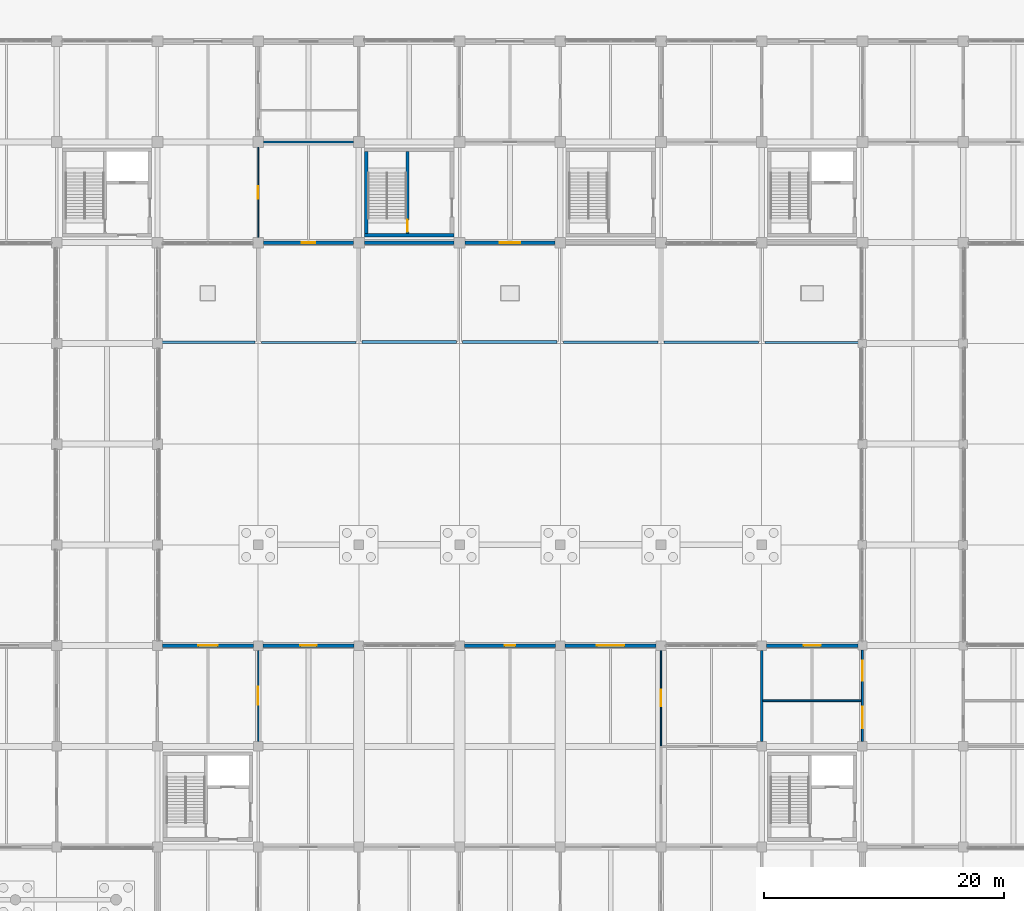
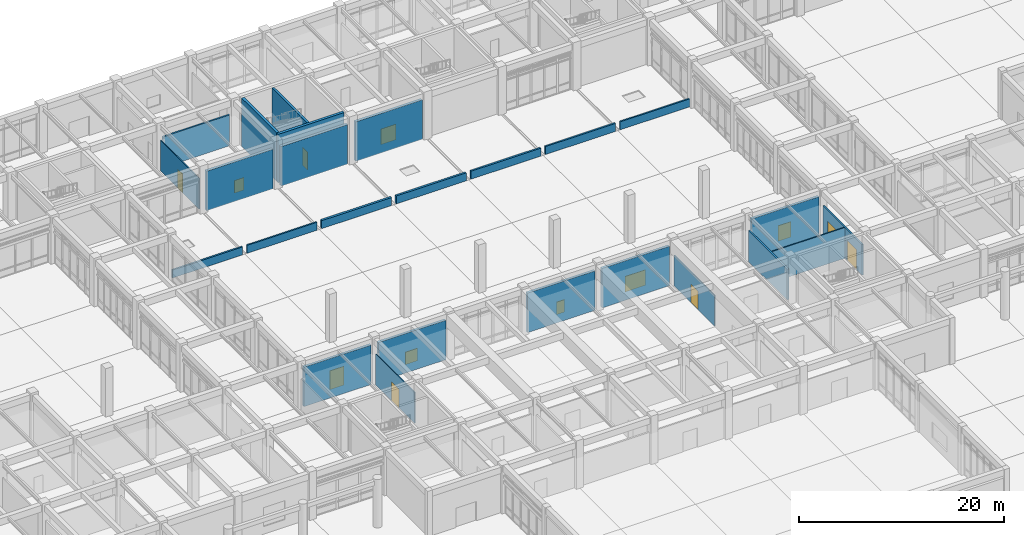
# One storey, part 74 of 91: 25 walls, 7 windows, 6 doors, 13 openings.
"""IFC4 building model written with IfcOpenShell, lengths in metres."""

from ifc_helpers import new_model, si_unit, direction, frame, frame_2d, origin, place, context, subcontext, project, spatial, rectangle, extrude, material, layer, layer_set, type_object, element, fill, save


model = new_model("IFC4")

# Units and contexts
model_context = context("Model", 3, precision=1e-05, world=origin(), true_north=direction((0.0, 1.0)))
body_context = subcontext(model_context, "Body", "Model", "MODEL_VIEW")
ifc_project = project(units=[si_unit("LENGTHUNIT", "METRE"), si_unit("AREAUNIT", "SQUARE_METRE"), si_unit("VOLUMEUNIT", "CUBIC_METRE"), si_unit("PLANEANGLEUNIT", "RADIAN"), si_unit("MASSUNIT", "GRAM", prefix="KILO")], contexts=[model_context])

# Site, building, storey
site_placement = place(None, origin())
site = spatial("IfcSite", under=ifc_project, at=site_placement, CompositionType="ELEMENT")
building_placement = place(site_placement, origin())
building = spatial("IfcBuilding", under=site, at=building_placement, Name="Porcellanite Civic Hall", CompositionType="ELEMENT")
storey_placement = place(building_placement, origin())
storey = spatial("IfcBuildingStorey", under=building, at=storey_placement, Name="L00", CompositionType="ELEMENT", Elevation=0.0)

# Wall, opening, door
ifc_material_1 = material(Name="Concrete N40 (40 MPa)", Category="concrete")
ifc_layer_1 = layer(ifc_material_1, 0.239990234375)
ifc_layer_set_1 = layer_set([ifc_layer_1], Name="Concrete N40 (40 MPa)")
wall_type_1 = type_object("IfcWallType", Name="CW-SH240", PredefinedType="SHEAR", material=ifc_layer_set_1)
wall_1_placement = place(storey_placement, frame((79.639892578125, 101.580078125, 0.0), z_axis=(0.0, 0.0, 1.0), x_axis=(0.0, 1.0, 0.0)))
wall_1 = element("IfcWall", 1, at=wall_1_placement, inside=storey, type_object=wall_type_1, Name="Core divider S9 L00", PredefinedType="SHEAR", context=body_context, shape_type="SweptSolid", body=[
    extrude(rectangle(XDim=6.83984375, YDim=0.239990234375, at=frame_2d((3.419921875, 0.0))), origin(), (0.0, 0.0, 1.0), 5.760009765625),
])
opening_1_placement = place(wall_1_placement, frame((0.1201171875, 0.0, 0.0)))
opening_1 = element("IfcOpeningElement", 2, at=opening_1_placement, cuts=wall_1, Name="Opening FD-S9-L00-ST", PredefinedType="OPENING", context=body_context, shape_type="SweptSolid", body=[
    extrude(rectangle(XDim=1.0, YDim=2.14990234375, at=frame_2d((0.5, 1.074951171875))), frame((0.0, 0.1201171875, 0.0), z_axis=(0.0, -1.0, 0.0), x_axis=(1.0, 0.0, 0.0)), (0.0, 0.0, 1.0), 0.239990234375),
])
ifc_material_2 = material(Name="Fire-rated solid-core hardwood timber", Category="wood")
door_type_1 = type_object("IfcDoorType", Name="DR-FD100", OperationType="NOTDEFINED", PredefinedType="DOOR", material=ifc_material_2)
door_1_placement = place(opening_1_placement, origin())
door_1 = element("IfcDoor", 3, at=door_1_placement, inside=storey, type_object=door_type_1, Name="Fire stair door FD-S9-L00-ST", OperationType="SINGLE_SWING_RIGHT", OverallHeight=2.14990234375, OverallWidth=1.0, PredefinedType="DOOR", context=body_context, shape_type="SweptSolid", body=[
    extrude(rectangle(XDim=1.0, YDim=2.14990234375, at=frame_2d((0.5, 1.074951171875))), frame((0.0, 0.02490234375, 0.0), z_axis=(0.0, -1.0, 0.0), x_axis=(1.0, 0.0, 0.0)), (0.0, 0.0, 1.0), 0.050048828125),
])
fill(opening_1, door_1)

# Walls
ifc_material_3 = material(Name="Concrete N40 (40 MPa)", Category="concrete")
ifc_layer_2 = layer(ifc_material_3, 0.300048828125)
ifc_layer_set_2 = layer_set([ifc_layer_2], Name="Concrete N40 (40 MPa)")
wall_type_2 = type_object("IfcWallType", Name="CW-SH300", PredefinedType="SHEAR", material=ifc_layer_set_2)
wall_2_placement = place(storey_placement, frame((83.52001953125, 101.429931640625, 0.0), z_axis=(0.0, 0.0, 1.0), x_axis=(-1.0, 0.0, 0.0)))
element("IfcWall", 4, at=wall_2_placement, inside=storey, type_object=wall_type_2, Name="Core wall S9 L00 S", PredefinedType="SHEAR", context=body_context, shape_type="SweptSolid", body=[
    extrude(rectangle(XDim=7.43994140625, YDim=0.300048828125, at=frame_2d((3.719970703125, 0.0))), origin(), (0.0, 0.0, 1.0), 5.760009765625),
])
wall_3_placement = place(storey_placement, frame((76.22998046875, 101.580078125, 0.0), z_axis=(0.0, 0.0, 1.0), x_axis=(0.0, 1.0, 0.0)))
element("IfcWall", 5, at=wall_3_placement, inside=storey, type_object=wall_type_2, Name="Core wall S9 L00 W", PredefinedType="SHEAR", context=body_context, shape_type="SweptSolid", body=[
    extrude(rectangle(XDim=6.83984375, YDim=0.300048828125, at=frame_2d((3.419921875, 0.0))), origin(), (0.0, 0.0, 1.0), 5.760009765625),
])

# Wall, opening, window
ifc_material_4 = material(Name="Precast concrete N40 (40 MPa)", Category="concrete")
ifc_layer_3 = layer(ifc_material_4, 0.300048828125)
ifc_layer_set_3 = layer_set([ifc_layer_3], Name="Precast concrete N40 (40 MPa)")
wall_type_3 = type_object("IfcWallType", Name="EW-ADM300", PredefinedType="SOLIDWALL", material=ifc_layer_set_3)
wall_4_placement = place(storey_placement, frame((75.14892578125, 100.800048828125, 0.0), z_axis=(0.0, 0.0, 1.0), x_axis=(-1.0, 0.0, 0.0)))
wall_4 = element("IfcWall", 6, at=wall_4_placement, inside=storey, type_object=wall_type_3, Name="Exterior wall L00 S 9-13", PredefinedType="SOLIDWALL", context=body_context, shape_type="SweptSolid", body=[
    extrude(rectangle(XDim=7.498046875, YDim=0.300048828125, at=frame_2d((3.7490234375, 0.0))), origin(), (0.0, 0.0, 1.0), 4.699951171875),
])
opening_2_placement = place(wall_4_placement, frame((3.198974609375, 0.0, 0.89990234375)))
opening_2 = element("IfcOpeningElement", 7, at=opening_2_placement, cuts=wall_4, Name="Opening W24", PredefinedType="OPENING", context=body_context, shape_type="SweptSolid", body=[
    extrude(rectangle(XDim=1.10009765625, YDim=1.5, at=frame_2d((0.550048828125, 0.75))), frame((0.0, 0.14990234375, 0.0), z_axis=(0.0, -1.0, 0.0), x_axis=(1.0, 0.0, 0.0)), (0.0, 0.0, 1.0), 0.300048828125),
])
ifc_material_5 = material(Name="Cyclone laminated low-E glazing in anodised aluminium frame", Category="aluminium")
window_type_1 = type_object("IfcWindowType", Name="WN-24", PartitioningType="SINGLE_PANEL", PredefinedType="WINDOW", material=ifc_material_5)
window_1_placement = place(opening_2_placement, origin())
window_1 = element("IfcWindow", 8, at=window_1_placement, inside=storey, type_object=window_type_1, Name="Window W24 L00 S 9-13", OverallHeight=1.5, OverallWidth=1.10009765625, PartitioningType="SINGLE_PANEL", PredefinedType="WINDOW", context=body_context, shape_type="SweptSolid", body=[
    extrude(rectangle(XDim=1.10009765625, YDim=1.5, at=frame_2d((0.550048828125, 0.75))), frame((0.0, 0.030029296875, 0.0), z_axis=(0.0, -1.0, 0.0), x_axis=(1.0, 0.0, 0.0)), (0.0, 0.0, 1.0), 0.06005859375),
])
fill(opening_2, window_1)

# Wall
wall_5_placement = place(storey_placement, frame((83.549072265625, 100.800048828125, 0.0), z_axis=(0.0, 0.0, 1.0), x_axis=(-1.0, 0.0, 0.0)))
element("IfcWall", 9, at=wall_5_placement, inside=storey, type_object=wall_type_3, Name="Exterior wall L00 S 10-13", PredefinedType="SOLIDWALL", context=body_context, shape_type="SweptSolid", body=[
    extrude(rectangle(XDim=7.498046875, YDim=0.300048828125, at=frame_2d((3.7490234375, 0.0))), origin(), (0.0, 0.0, 1.0), 4.699951171875),
])

# Wall, opening, window
wall_6_placement = place(storey_placement, frame((91.948974609375, 100.800048828125, 0.0), z_axis=(0.0, 0.0, 1.0), x_axis=(-1.0, 0.0, 0.0)))
wall_6 = element("IfcWall", 10, at=wall_6_placement, inside=storey, type_object=wall_type_3, Name="Exterior wall L00 S 11-13", PredefinedType="SOLIDWALL", context=body_context, shape_type="SweptSolid", body=[
    extrude(rectangle(XDim=7.498046875, YDim=0.300048828125, at=frame_2d((3.7490234375, 0.0))), origin(), (0.0, 0.0, 1.0), 4.699951171875),
])
opening_3_placement = place(wall_6_placement, frame((2.89892578125, 0.0, 0.89990234375)))
opening_3 = element("IfcOpeningElement", 11, at=opening_3_placement, cuts=wall_6, Name="Opening W27", PredefinedType="OPENING", context=body_context, shape_type="SweptSolid", body=[
    extrude(rectangle(XDim=1.699951171875, YDim=1.85009765625, at=frame_2d((0.85009765625, 0.925048828125))), frame((0.0, 0.14990234375, 0.0), z_axis=(0.0, -1.0, 0.0), x_axis=(1.0, 0.0, 0.0)), (0.0, 0.0, 1.0), 0.300048828125),
])
ifc_material_6 = material(Name="Cyclone laminated low-E glazing in anodised aluminium frame", Category="aluminium")
window_type_2 = type_object("IfcWindowType", Name="WN-27", PartitioningType="DOUBLE_PANEL_VERTICAL", PredefinedType="WINDOW", material=ifc_material_6)
window_2_placement = place(opening_3_placement, origin())
window_2 = element("IfcWindow", 12, at=window_2_placement, inside=storey, type_object=window_type_2, Name="Window W27 L00 S 11-13", OverallHeight=1.85009765625, OverallWidth=1.699951171875, PartitioningType="SINGLE_PANEL", PredefinedType="WINDOW", context=body_context, shape_type="SweptSolid", body=[
    extrude(rectangle(XDim=1.699951171875, YDim=1.85009765625, at=frame_2d((0.85009765625, 0.925048828125))), frame((0.0, 0.030029296875, 0.0), z_axis=(0.0, -1.0, 0.0), x_axis=(1.0, 0.0, 0.0)), (0.0, 0.0, 1.0), 0.06005859375),
])
fill(opening_3, window_2)

ifc_material_7 = material(Name="Precast concrete N40 (40 MPa)", Category="concrete")
ifc_layer_4 = layer(ifc_material_7, 0.280029296875)
ifc_layer_set_4 = layer_set([ifc_layer_4], Name="Precast concrete N40 (40 MPa)")
wall_type_4 = type_object("IfcWallType", Name="EW-CLO280", PredefinedType="SOLIDWALL", material=ifc_layer_set_4)
wall_7_placement = place(storey_placement, frame((59.22607421875, 67.199951171875, 0.0), z_axis=(0.0, 0.0, 1.0), x_axis=(1.0, 0.0, 0.0)))
wall_7 = element("IfcWall", 13, at=wall_7_placement, inside=storey, type_object=wall_type_4, Name="Exterior wall L00 N 8-8", PredefinedType="SOLIDWALL", context=body_context, shape_type="SweptSolid", body=[
    extrude(rectangle(XDim=7.572998046875, YDim=0.280029296875, at=frame_2d((3.78662109375, 0.0))), origin(), (0.0, 0.0, 1.0), 4.699951171875),
])
opening_4_placement = place(wall_7_placement, frame((2.987060546875, 0.0, 0.89990234375)))
opening_4 = element("IfcOpeningElement", 14, at=opening_4_placement, cuts=wall_7, Name="Opening W21", PredefinedType="OPENING", context=body_context, shape_type="SweptSolid", body=[
    extrude(rectangle(XDim=1.60009765625, YDim=2.25, at=frame_2d((0.800048828125, 1.125))), frame((0.0, 0.14013671875, 0.0), z_axis=(0.0, -1.0, 0.0), x_axis=(1.0, 0.0, 0.0)), (0.0, 0.0, 1.0), 0.280029296875),
])
ifc_material_8 = material(Name="Cyclone laminated low-E glazing in anodised aluminium frame", Category="aluminium")
window_type_3 = type_object("IfcWindowType", Name="WN-21", PartitioningType="DOUBLE_PANEL_VERTICAL", PredefinedType="WINDOW", material=ifc_material_8)
window_3_placement = place(opening_4_placement, origin())
window_3 = element("IfcWindow", 15, at=window_3_placement, inside=storey, type_object=window_type_3, Name="Window W21 L00 N 8-8", OverallHeight=2.25, OverallWidth=1.60009765625, PartitioningType="SINGLE_PANEL", PredefinedType="WINDOW", context=body_context, shape_type="SweptSolid", body=[
    extrude(rectangle(XDim=1.60009765625, YDim=2.25, at=frame_2d((0.800048828125, 1.125))), frame((0.0, 0.030029296875, 0.0), z_axis=(0.0, -1.0, 0.0), x_axis=(1.0, 0.0, 0.0)), (0.0, 0.0, 1.0), 0.06005859375),
])
fill(opening_4, window_3)

wall_8_placement = place(storey_placement, frame((67.60107421875, 67.199951171875, 0.0), z_axis=(0.0, 0.0, 1.0), x_axis=(1.0, 0.0, 0.0)))
wall_8 = element("IfcWall", 16, at=wall_8_placement, inside=storey, type_object=wall_type_4, Name="Exterior wall L00 N 9-8", PredefinedType="SOLIDWALL", context=body_context, shape_type="SweptSolid", body=[
    extrude(rectangle(XDim=7.597900390625, YDim=0.280029296875, at=frame_2d((3.798828125, 0.0))), origin(), (0.0, 0.0, 1.0), 4.699951171875),
])
opening_5_placement = place(wall_8_placement, frame((3.1240234375, 0.0, 0.89990234375)))
opening_5 = element("IfcOpeningElement", 17, at=opening_5_placement, cuts=wall_8, Name="Opening W23", PredefinedType="OPENING", context=body_context, shape_type="SweptSolid", body=[
    extrude(rectangle(XDim=1.35009765625, YDim=1.5, at=frame_2d((0.675048828125, 0.75))), frame((0.0, 0.14013671875, 0.0), z_axis=(0.0, -1.0, 0.0), x_axis=(1.0, 0.0, 0.0)), (0.0, 0.0, 1.0), 0.280029296875),
])
ifc_material_9 = material(Name="Cyclone laminated low-E glazing in anodised aluminium frame", Category="aluminium")
window_type_4 = type_object("IfcWindowType", Name="WN-23", PartitioningType="SINGLE_PANEL", PredefinedType="WINDOW", material=ifc_material_9)
window_4_placement = place(opening_5_placement, origin())
window_4 = element("IfcWindow", 18, at=window_4_placement, inside=storey, type_object=window_type_4, Name="Window W23 L00 N 9-8", OverallHeight=1.5, OverallWidth=1.35009765625, PartitioningType="SINGLE_PANEL", PredefinedType="WINDOW", context=body_context, shape_type="SweptSolid", body=[
    extrude(rectangle(XDim=1.35009765625, YDim=1.5, at=frame_2d((0.675048828125, 0.75))), frame((0.0, 0.030029296875, 0.0), z_axis=(0.0, -1.0, 0.0), x_axis=(1.0, 0.0, 0.0)), (0.0, 0.0, 1.0), 0.06005859375),
])
fill(opening_5, window_4)

wall_9_placement = place(storey_placement, frame((84.40087890625, 67.199951171875, 0.0), z_axis=(0.0, 0.0, 1.0), x_axis=(1.0, 0.0, 0.0)))
wall_9 = element("IfcWall", 19, at=wall_9_placement, inside=storey, type_object=wall_type_4, Name="Exterior wall L00 N 11-8", PredefinedType="SOLIDWALL", context=body_context, shape_type="SweptSolid", body=[
    extrude(rectangle(XDim=7.59814453125, YDim=0.280029296875, at=frame_2d((3.799072265625, 0.0))), origin(), (0.0, 0.0, 1.0), 4.699951171875),
])
opening_6_placement = place(wall_9_placement, frame((3.34912109375, 0.0, 0.89990234375)))
opening_6 = element("IfcOpeningElement", 20, at=opening_6_placement, cuts=wall_9, Name="Opening W26", PredefinedType="OPENING", context=body_context, shape_type="SweptSolid", body=[
    extrude(rectangle(XDim=0.89990234375, YDim=1.5, at=frame_2d((0.449951171875, 0.75))), frame((0.0, 0.14013671875, 0.0), z_axis=(0.0, -1.0, 0.0), x_axis=(1.0, 0.0, 0.0)), (0.0, 0.0, 1.0), 0.280029296875),
])
ifc_material_10 = material(Name="Cyclone laminated low-E glazing in anodised aluminium frame", Category="aluminium")
window_type_5 = type_object("IfcWindowType", Name="WN-26", PartitioningType="SINGLE_PANEL", PredefinedType="WINDOW", material=ifc_material_10)
window_5_placement = place(opening_6_placement, origin())
window_5 = element("IfcWindow", 21, at=window_5_placement, inside=storey, type_object=window_type_5, Name="Window W26 L00 N 11-8", OverallHeight=1.5, OverallWidth=0.89990234375, PartitioningType="SINGLE_PANEL", PredefinedType="WINDOW", context=body_context, shape_type="SweptSolid", body=[
    extrude(rectangle(XDim=0.89990234375, YDim=1.5, at=frame_2d((0.449951171875, 0.75))), frame((0.0, 0.030029296875, 0.0), z_axis=(0.0, -1.0, 0.0), x_axis=(1.0, 0.0, 0.0)), (0.0, 0.0, 1.0), 0.06005859375),
])
fill(opening_6, window_5)

wall_10_placement = place(storey_placement, frame((92.801025390625, 67.199951171875, 0.0), z_axis=(0.0, 0.0, 1.0), x_axis=(1.0, 0.0, 0.0)))
wall_10 = element("IfcWall", 22, at=wall_10_placement, inside=storey, type_object=wall_type_4, Name="Exterior wall L00 N 12-8", PredefinedType="SOLIDWALL", context=body_context, shape_type="SweptSolid", body=[
    extrude(rectangle(XDim=7.597900390625, YDim=0.280029296875, at=frame_2d((3.798828125, 0.0))), origin(), (0.0, 0.0, 1.0), 4.699951171875),
])
opening_7_placement = place(wall_10_placement, frame((2.64892578125, 0.0, 0.89990234375)))
opening_7 = element("IfcOpeningElement", 23, at=opening_7_placement, cuts=wall_10, Name="Opening W28", PredefinedType="OPENING", context=body_context, shape_type="SweptSolid", body=[
    extrude(rectangle(XDim=2.300048828125, YDim=1.85009765625, at=frame_2d((1.14990234375, 0.925048828125))), frame((0.0, 0.14013671875, 0.0), z_axis=(0.0, -1.0, 0.0), x_axis=(1.0, 0.0, 0.0)), (0.0, 0.0, 1.0), 0.280029296875),
])
ifc_material_11 = material(Name="Cyclone laminated low-E glazing in anodised aluminium frame", Category="aluminium")
window_type_6 = type_object("IfcWindowType", Name="WN-28", PartitioningType="DOUBLE_PANEL_VERTICAL", PredefinedType="WINDOW", material=ifc_material_11)
window_6_placement = place(opening_7_placement, origin())
window_6 = element("IfcWindow", 24, at=window_6_placement, inside=storey, type_object=window_type_6, Name="Window W28 L00 N 12-8", OverallHeight=1.85009765625, OverallWidth=2.300048828125, PartitioningType="SINGLE_PANEL", PredefinedType="WINDOW", context=body_context, shape_type="SweptSolid", body=[
    extrude(rectangle(XDim=2.300048828125, YDim=1.85009765625, at=frame_2d((1.14990234375, 0.925048828125))), frame((0.0, 0.030029296875, 0.0), z_axis=(0.0, -1.0, 0.0), x_axis=(1.0, 0.0, 0.0)), (0.0, 0.0, 1.0), 0.06005859375),
])
fill(opening_7, window_6)

wall_11_placement = place(storey_placement, frame((109.60107421875, 67.199951171875, 0.0), z_axis=(0.0, 0.0, 1.0), x_axis=(1.0, 0.0, 0.0)))
wall_11 = element("IfcWall", 25, at=wall_11_placement, inside=storey, type_object=wall_type_4, Name="Exterior wall L00 N 14-8", PredefinedType="SOLIDWALL", context=body_context, shape_type="SweptSolid", body=[
    extrude(rectangle(XDim=7.623046875, YDim=0.280029296875, at=frame_2d((3.8115234375, 0.0))), origin(), (0.0, 0.0, 1.0), 4.699951171875),
])
opening_8_placement = place(wall_11_placement, frame((3.0869140625, 0.0, 0.89990234375)))
opening_8 = element("IfcOpeningElement", 26, at=opening_8_placement, cuts=wall_11, Name="Opening W30", PredefinedType="OPENING", context=body_context, shape_type="SweptSolid", body=[
    extrude(rectangle(XDim=1.449951171875, YDim=1.85009765625, at=frame_2d((0.72509765625, 0.925048828125))), frame((0.0, 0.14013671875, 0.0), z_axis=(0.0, -1.0, 0.0), x_axis=(1.0, 0.0, 0.0)), (0.0, 0.0, 1.0), 0.280029296875),
])
ifc_material_12 = material(Name="Cyclone laminated low-E glazing in anodised aluminium frame", Category="aluminium")
window_type_7 = type_object("IfcWindowType", Name="WN-30", PartitioningType="SINGLE_PANEL", PredefinedType="WINDOW", material=ifc_material_12)
window_7_placement = place(opening_8_placement, origin())
window_7 = element("IfcWindow", 27, at=window_7_placement, inside=storey, type_object=window_type_7, Name="Window W30 L00 N 14-8", OverallHeight=1.85009765625, OverallWidth=1.449951171875, PartitioningType="SINGLE_PANEL", PredefinedType="WINDOW", context=body_context, shape_type="SweptSolid", body=[
    extrude(rectangle(XDim=1.449951171875, YDim=1.85009765625, at=frame_2d((0.72509765625, 0.925048828125))), frame((0.0, 0.030029296875, 0.0), z_axis=(0.0, -1.0, 0.0), x_axis=(1.0, 0.0, 0.0)), (0.0, 0.0, 1.0), 0.06005859375),
])
fill(opening_8, window_7)

# Wall, opening, door
ifc_material_13 = material(Name="Insulated acoustic plasterboard on light-gauge steel studs", Category="steel")
ifc_layer_5 = layer(ifc_material_13, 0.094970703125)
ifc_layer_set_5 = layer_set([ifc_layer_5], Name="Insulated acoustic plasterboard on light-gauge steel studs")
wall_type_5 = type_object("IfcWallType", Name="IW-PT095", PredefinedType="PARTITIONING", material=ifc_layer_set_5)
wall_12_placement = place(storey_placement, frame((67.199951171875, 101.251953125, 0.0), z_axis=(0.0, 0.0, 1.0), x_axis=(0.0, 1.0, 0.0)))
wall_12 = element("IfcWall", 28, at=wall_12_placement, inside=storey, type_object=wall_type_5, Name="Partition L00 V 8-13", PredefinedType="PARTITIONING", context=body_context, shape_type="SweptSolid", body=[
    extrude(rectangle(XDim=7.49609375, YDim=0.094970703125, at=frame_2d((3.748046875, 0.0))), origin(), (0.0, 0.0, 1.0), 3.659912109375),
])
opening_9_placement = place(wall_12_placement, frame((3.238037109375, 0.0, 0.0)))
opening_9 = element("IfcOpeningElement", 29, at=opening_9_placement, cuts=wall_12, Name="Opening D-L00-081", PredefinedType="OPENING", context=body_context, shape_type="SweptSolid", body=[
    extrude(rectangle(XDim=1.02001953125, YDim=2.199951171875, at=frame_2d((0.510009765625, 1.10009765625))), frame((0.0, 0.04736328125, 0.0), z_axis=(0.0, -1.0, 0.0), x_axis=(1.0, 0.0, 0.0)), (0.0, 0.0, 1.0), 0.094970703125),
])
ifc_material_14 = material(Name="Solid-core spotted-gum timber", Category="wood")
door_type_2 = type_object("IfcDoorType", Name="DR-RM102", OperationType="NOTDEFINED", PredefinedType="DOOR", material=ifc_material_14)
door_2_placement = place(opening_9_placement, origin())
door_2 = element("IfcDoor", 30, at=door_2_placement, inside=storey, type_object=door_type_2, Name="Interior door D-L00-081", OperationType="SINGLE_SWING_LEFT", OverallHeight=2.199951171875, OverallWidth=1.02001953125, PredefinedType="DOOR", context=body_context, shape_type="SweptSolid", body=[
    extrude(rectangle(XDim=1.02001953125, YDim=2.199951171875, at=frame_2d((0.510009765625, 1.10009765625))), frame((0.0, 0.02490234375, 0.0), z_axis=(0.0, -1.0, 0.0), x_axis=(1.0, 0.0, 0.0)), (0.0, 0.0, 1.0), 0.050048828125),
])
fill(opening_9, door_2)

ifc_material_15 = material(Name="Insulated acoustic plasterboard on light-gauge steel studs", Category="steel")
ifc_layer_6 = layer(ifc_material_15, 0.10498046875)
ifc_layer_set_6 = layer_set([ifc_layer_6], Name="Insulated acoustic plasterboard on light-gauge steel studs")
wall_type_6 = type_object("IfcWallType", Name="IW-PT105", PredefinedType="PARTITIONING", material=ifc_layer_set_6)
wall_13_placement = place(storey_placement, frame((67.199951171875, 59.201904296875, 0.0), z_axis=(0.0, 0.0, 1.0), x_axis=(0.0, 1.0, 0.0)))
wall_13 = element("IfcWall", 31, at=wall_13_placement, inside=storey, type_object=wall_type_6, Name="Partition L00 V 8-8", PredefinedType="PARTITIONING", context=body_context, shape_type="SweptSolid", body=[
    extrude(rectangle(XDim=7.59619140625, YDim=0.10498046875, at=frame_2d((3.798095703125, 0.0))), origin(), (0.0, 0.0, 1.0), 3.659912109375),
])
opening_10_placement = place(wall_13_placement, frame((3.048095703125, 0.0, 0.0)))
opening_10 = element("IfcOpeningElement", 32, at=opening_10_placement, cuts=wall_13, Name="Opening D-L00-080", PredefinedType="OPENING", context=body_context, shape_type="SweptSolid", body=[
    extrude(rectangle(XDim=1.5, YDim=2.25, at=frame_2d((0.75, 1.125))), frame((0.0, 0.052490234375, 0.0), z_axis=(0.0, -1.0, 0.0), x_axis=(1.0, 0.0, 0.0)), (0.0, 0.0, 1.0), 0.10498046875),
])
ifc_material_16 = material(Name="Acoustic spotted-gum timber and safety glass", Category="wood")
door_type_3 = type_object("IfcDoorType", Name="DR-AS150", OperationType="DOUBLE_DOOR_SINGLE_SWING", PredefinedType="DOOR", material=ifc_material_16)
door_3_placement = place(opening_10_placement, origin())
door_3 = element("IfcDoor", 33, at=door_3_placement, inside=storey, type_object=door_type_3, Name="Interior door D-L00-080", OperationType="DOUBLE_DOOR_SINGLE_SWING", OverallHeight=2.25, OverallWidth=1.5, PredefinedType="DOOR", context=body_context, shape_type="SweptSolid", body=[
    extrude(rectangle(XDim=1.5, YDim=2.25, at=frame_2d((0.75, 1.125))), frame((0.0, 0.02490234375, 0.0), z_axis=(0.0, -1.0, 0.0), x_axis=(1.0, 0.0, 0.0)), (0.0, 0.0, 1.0), 0.050048828125),
])
fill(opening_10, door_3)

wall_14_placement = place(storey_placement, frame((100.800048828125, 58.864501953125, 0.0), z_axis=(0.0, 0.0, 1.0), x_axis=(0.0, 1.0, 0.0)))
wall_14 = element("IfcWall", 34, at=wall_14_placement, inside=storey, type_object=wall_type_6, Name="Partition L00 V 12-8", PredefinedType="PARTITIONING", context=body_context, shape_type="SweptSolid", body=[
    extrude(rectangle(XDim=7.93359375, YDim=0.10498046875, at=frame_2d((3.966796875, 0.0))), origin(), (0.0, 0.0, 1.0), 3.659912109375),
])
opening_11_placement = place(wall_14_placement, frame((3.2919921875, 0.0, 0.0)))
opening_11 = element("IfcOpeningElement", 35, at=opening_11_placement, cuts=wall_14, Name="Opening D-L00-083", PredefinedType="OPENING", context=body_context, shape_type="SweptSolid", body=[
    extrude(rectangle(XDim=1.35009765625, YDim=2.199951171875, at=frame_2d((0.675048828125, 1.10009765625))), frame((0.0, 0.052490234375, 0.0), z_axis=(0.0, -1.0, 0.0), x_axis=(1.0, 0.0, 0.0)), (0.0, 0.0, 1.0), 0.10498046875),
])
ifc_material_17 = material(Name="Acoustic spotted-gum timber and safety glass", Category="wood")
door_type_4 = type_object("IfcDoorType", Name="DR-AS135", OperationType="DOUBLE_DOOR_SINGLE_SWING", PredefinedType="DOOR", material=ifc_material_17)
door_4_placement = place(opening_11_placement, origin())
door_4 = element("IfcDoor", 36, at=door_4_placement, inside=storey, type_object=door_type_4, Name="Interior door D-L00-083", OperationType="DOUBLE_DOOR_SINGLE_SWING", OverallHeight=2.199951171875, OverallWidth=1.35009765625, PredefinedType="DOOR", context=body_context, shape_type="SweptSolid", body=[
    extrude(rectangle(XDim=1.35009765625, YDim=2.199951171875, at=frame_2d((0.675048828125, 1.10009765625))), frame((0.0, 0.02490234375, 0.0), z_axis=(0.0, -1.0, 0.0), x_axis=(1.0, 0.0, 0.0)), (0.0, 0.0, 1.0), 0.050048828125),
])
fill(opening_11, door_4)

# Wall
ifc_material_18 = material(Name="Insulated acoustic plasterboard on light-gauge steel studs", Category="steel")
ifc_layer_7 = layer(ifc_material_18, 0.14501953125)
ifc_layer_set_7 = layer_set([ifc_layer_7], Name="Insulated acoustic plasterboard on light-gauge steel studs")
wall_type_7 = type_object("IfcWallType", Name="IW-PT145", PredefinedType="PARTITIONING", material=ifc_layer_set_7)
wall_15_placement = place(storey_placement, frame((109.299560546875, 62.60009765625, 0.0), z_axis=(0.0, 0.0, 1.0), x_axis=(1.0, 0.0, 0.0)))
element("IfcWall", 37, at=wall_15_placement, inside=storey, type_object=wall_type_7, Name="Partition L00 sub 14-8", PredefinedType="PARTITIONING", context=body_context, shape_type="SweptSolid", body=[
    extrude(rectangle(XDim=8.2158203125, YDim=0.14501953125, at=frame_2d((4.10791015625, 0.0))), origin(), (0.0, 0.0, 1.0), 3.659912109375),
])

# Wall, openings, doors
ifc_material_19 = material(Name="Insulated acoustic plasterboard on light-gauge steel studs", Category="steel")
ifc_layer_8 = layer(ifc_material_19, 0.1650390625)
ifc_layer_set_8 = layer_set([ifc_layer_8], Name="Insulated acoustic plasterboard on light-gauge steel studs")
wall_type_8 = type_object("IfcWallType", Name="IW-PT165", PredefinedType="PARTITIONING", material=ifc_layer_set_8)
wall_16_placement = place(storey_placement, frame((117.60009765625, 59.201904296875, 0.0), z_axis=(0.0, 0.0, 1.0), x_axis=(0.0, 1.0, 0.0)))
wall_16 = element("IfcWall", 38, at=wall_16_placement, inside=storey, type_object=wall_type_8, Name="Partition L00 V 14-8", PredefinedType="PARTITIONING", context=body_context, shape_type="SweptSolid", body=[
    extrude(rectangle(XDim=7.62109375, YDim=0.1650390625, at=frame_2d((3.810546875, 0.0))), origin(), (0.0, 0.0, 1.0), 3.659912109375),
])
opening_12_placement = place(wall_16_placement, frame((1.113037109375, 0.0, 0.0)))
opening_12 = element("IfcOpeningElement", 39, at=opening_12_placement, cuts=wall_16, Name="Opening D-L00-035", PredefinedType="OPENING", context=body_context, shape_type="SweptSolid", body=[
    extrude(rectangle(XDim=1.800048828125, YDim=2.39990234375, at=frame_2d((0.89990234375, 1.199951171875))), frame((0.0, 0.08251953125, 0.0), z_axis=(0.0, -1.0, 0.0), x_axis=(1.0, 0.0, 0.0)), (0.0, 0.0, 1.0), 0.1650390625),
])
opening_13_placement = place(wall_16_placement, frame((5.052978515625, 0.0, 0.0)))
opening_13 = element("IfcOpeningElement", 40, at=opening_13_placement, cuts=wall_16, Name="Opening D-L00-036", PredefinedType="OPENING", context=body_context, shape_type="SweptSolid", body=[
    extrude(rectangle(XDim=1.699951171875, YDim=2.35009765625, at=frame_2d((0.85009765625, 1.175048828125))), frame((0.0, 0.08251953125, 0.0), z_axis=(0.0, -1.0, 0.0), x_axis=(1.0, 0.0, 0.0)), (0.0, 0.0, 1.0), 0.1650390625),
])
ifc_material_20 = material(Name="Acoustic spotted-gum timber and safety glass", Category="wood")
door_type_5 = type_object("IfcDoorType", Name="DR-AS170", OperationType="DOUBLE_DOOR_SINGLE_SWING", PredefinedType="DOOR", material=ifc_material_20)
door_5_placement = place(opening_13_placement, origin())
door_5 = element("IfcDoor", 41, at=door_5_placement, inside=storey, type_object=door_type_5, Name="Interior door D-L00-036", OperationType="DOUBLE_DOOR_SINGLE_SWING", OverallHeight=2.35009765625, OverallWidth=1.699951171875, PredefinedType="DOOR", context=body_context, shape_type="SweptSolid", body=[
    extrude(rectangle(XDim=1.699951171875, YDim=2.35009765625, at=frame_2d((0.85009765625, 1.175048828125))), frame((0.0, 0.02490234375, 0.0), z_axis=(0.0, -1.0, 0.0), x_axis=(1.0, 0.0, 0.0)), (0.0, 0.0, 1.0), 0.050048828125),
])
fill(opening_13, door_5)
ifc_material_21 = material(Name="Acoustic spotted-gum timber and safety glass", Category="wood")
door_type_6 = type_object("IfcDoorType", Name="DR-AS180", OperationType="DOUBLE_DOOR_SINGLE_SWING", PredefinedType="DOOR", material=ifc_material_21)
door_6_placement = place(opening_12_placement, origin())
door_6 = element("IfcDoor", 42, at=door_6_placement, inside=storey, type_object=door_type_6, Name="Interior door D-L00-035", OperationType="DOUBLE_DOOR_SINGLE_SWING", OverallHeight=2.39990234375, OverallWidth=1.800048828125, PredefinedType="DOOR", context=body_context, shape_type="SweptSolid", body=[
    extrude(rectangle(XDim=1.800048828125, YDim=2.39990234375, at=frame_2d((0.89990234375, 1.199951171875))), frame((0.0, 0.02490234375, 0.0), z_axis=(0.0, -1.0, 0.0), x_axis=(1.0, 0.0, 0.0)), (0.0, 0.0, 1.0), 0.050048828125),
])
fill(opening_12, door_6)

# Walls
ifc_material_22 = material(Name="Insulated acoustic plasterboard on light-gauge steel studs", Category="steel")
ifc_layer_9 = layer(ifc_material_22, 0.18505859375)
ifc_layer_set_9 = layer_set([ifc_layer_9], Name="Insulated acoustic plasterboard on light-gauge steel studs")
wall_type_9 = type_object("IfcWallType", Name="IW-PT185", PredefinedType="PARTITIONING", material=ifc_layer_set_9)
wall_17_placement = place(storey_placement, frame((67.652099609375, 109.199951171875, 0.0), z_axis=(0.0, 0.0, 1.0), x_axis=(1.0, 0.0, 0.0)))
element("IfcWall", 43, at=wall_17_placement, inside=storey, type_object=wall_type_9, Name="Partition L00 H 9-13", PredefinedType="PARTITIONING", context=body_context, shape_type="SweptSolid", body=[
    extrude(rectangle(XDim=7.495849609375, YDim=0.18505859375, at=frame_2d((3.748046875, 0.0))), origin(), (0.0, 0.0, 1.0), 3.659912109375),
])
ifc_material_23 = material(Name="Insulated acoustic plasterboard on light-gauge steel studs", Category="steel")
ifc_layer_10 = layer(ifc_material_23, 0.195068359375)
ifc_layer_set_10 = layer_set([ifc_layer_10], Name="Insulated acoustic plasterboard on light-gauge steel studs")
wall_type_10 = type_object("IfcWallType", Name="IW-PT195", PredefinedType="PARTITIONING", material=ifc_layer_set_10)
wall_18_placement = place(storey_placement, frame((109.199951171875, 59.201904296875, 0.0), z_axis=(0.0, 0.0, 1.0), x_axis=(0.0, 1.0, 0.0)))
element("IfcWall", 44, at=wall_18_placement, inside=storey, type_object=wall_type_10, Name="Partition L00 V 13-8", PredefinedType="PARTITIONING", context=body_context, shape_type="SweptSolid", body=[
    extrude(rectangle(XDim=7.59619140625, YDim=0.195068359375, at=frame_2d((3.798095703125, 0.0))), origin(), (0.0, 0.0, 1.0), 3.659912109375),
])
ifc_material_24 = material(Name="Precast concrete N40 (40 MPa)", Category="concrete")
ifc_layer_11 = layer(ifc_material_24, 0.25)
ifc_layer_set_11 = layer_set([ifc_layer_11], Name="Precast concrete N40 (40 MPa)")
wall_type_11 = type_object("IfcWallType", Name="WP-PAR1", PredefinedType="PARAPET", material=ifc_layer_set_11)
wall_19_placement = place(storey_placement, frame((83.739990234375, 92.52490234375, 0.0), z_axis=(0.0, 0.0, 1.0), x_axis=(-1.0, 0.0, 0.0)))
element("IfcWall", 45, at=wall_19_placement, inside=storey, type_object=wall_type_11, Name="Roof parapet L00 S 10-12", PredefinedType="PARAPET", context=body_context, shape_type="SweptSolid", body=[
    extrude(rectangle(XDim=7.8798828125, YDim=0.25, at=frame_2d((3.93994140625, 0.0))), origin(), (0.0, 0.0, 1.0), 0.949951171875),
])
ifc_material_25 = material(Name="Precast concrete N40 (40 MPa)", Category="concrete")
ifc_layer_12 = layer(ifc_material_25, 0.22998046875)
ifc_layer_set_12 = layer_set([ifc_layer_12], Name="Precast concrete N40 (40 MPa)")
wall_type_12 = type_object("IfcWallType", Name="WP-PAR2", PredefinedType="PARAPET", material=ifc_layer_set_12)
wall_20_placement = place(storey_placement, frame((92.139892578125, 92.514892578125, 0.0), z_axis=(0.0, 0.0, 1.0), x_axis=(-1.0, 0.0, 0.0)))
element("IfcWall", 46, at=wall_20_placement, inside=storey, type_object=wall_type_12, Name="Roof parapet L00 S 11-12", PredefinedType="PARAPET", context=body_context, shape_type="SweptSolid", body=[
    extrude(rectangle(XDim=7.8798828125, YDim=0.22998046875, at=frame_2d((3.93994140625, 0.0))), origin(), (0.0, 0.0, 1.0), 0.949951171875),
])
ifc_material_26 = material(Name="Precast concrete N40 (40 MPa)", Category="concrete")
ifc_layer_13 = layer(ifc_material_26, 0.2099609375)
ifc_layer_set_13 = layer_set([ifc_layer_13], Name="Precast concrete N40 (40 MPa)")
wall_type_13 = type_object("IfcWallType", Name="WP-PAR3", PredefinedType="PARAPET", material=ifc_layer_set_13)
wall_21_placement = place(storey_placement, frame((100.5400390625, 92.5048828125, 0.0), z_axis=(0.0, 0.0, 1.0), x_axis=(-1.0, 0.0, 0.0)))
element("IfcWall", 47, at=wall_21_placement, inside=storey, type_object=wall_type_13, Name="Roof parapet L00 S 12-12", PredefinedType="PARAPET", context=body_context, shape_type="SweptSolid", body=[
    extrude(rectangle(XDim=7.880126953125, YDim=0.2099609375, at=frame_2d((3.93994140625, 0.0))), origin(), (0.0, 0.0, 1.0), 0.949951171875),
])
ifc_material_27 = material(Name="Precast concrete N40 (40 MPa)", Category="concrete")
ifc_layer_14 = layer(ifc_material_27, 0.18994140625)
ifc_layer_set_14 = layer_set([ifc_layer_14], Name="Precast concrete N40 (40 MPa)")
wall_type_14 = type_object("IfcWallType", Name="WP-PAR4", PredefinedType="PARAPET", material=ifc_layer_set_14)
for number, where, z_axis, x_axis, name in (
    (48, (66.93994140625, 92.4951171875, 0.0), (0.0, 0.0, 1.0), (-1.0, 0.0, 0.0), "Roof parapet L00 S 8-12"),
    (49, (108.93994140625, 92.4951171875, 0.0), (0.0, 0.0, 1.0), (-1.0, 0.0, 0.0), "Roof parapet L00 S 13-12"),
):
    element("IfcWall", number, at=place(storey_placement, frame(where, z_axis=z_axis, x_axis=x_axis)), inside=storey, type_object=wall_type_14, Name=name, PredefinedType="PARAPET", context=body_context, shape_type="SweptSolid", body=[
        extrude(rectangle(XDim=7.8798828125, YDim=0.18994140625, at=frame_2d((3.93994140625, 0.0))), origin(), (0.0, 0.0, 1.0), 0.949951171875),
    ])
ifc_material_28 = material(Name="Precast concrete N40 (40 MPa)", Category="concrete")
ifc_layer_15 = layer(ifc_material_28, 0.169921875)
ifc_layer_set_15 = layer_set([ifc_layer_15], Name="Precast concrete N40 (40 MPa)")
wall_type_15 = type_object("IfcWallType", Name="WP-PAR5", PredefinedType="PARAPET", material=ifc_layer_set_15)
for number, where, z_axis, x_axis, name in (
    (50, (75.340087890625, 92.485107421875, 0.0), (0.0, 0.0, 1.0), (-1.0, 0.0, 0.0), "Roof parapet L00 S 9-12"),
    (51, (117.340087890625, 92.485107421875, 0.0), (0.0, 0.0, 1.0), (-1.0, 0.0, 0.0), "Roof parapet L00 S 14-12"),
):
    element("IfcWall", number, at=place(storey_placement, frame(where, z_axis=z_axis, x_axis=x_axis)), inside=storey, type_object=wall_type_15, Name=name, PredefinedType="PARAPET", context=body_context, shape_type="SweptSolid", body=[
        extrude(rectangle(XDim=7.880126953125, YDim=0.169921875, at=frame_2d((3.93994140625, 0.0))), origin(), (0.0, 0.0, 1.0), 0.949951171875),
    ])

save(model, "model.ifc")
